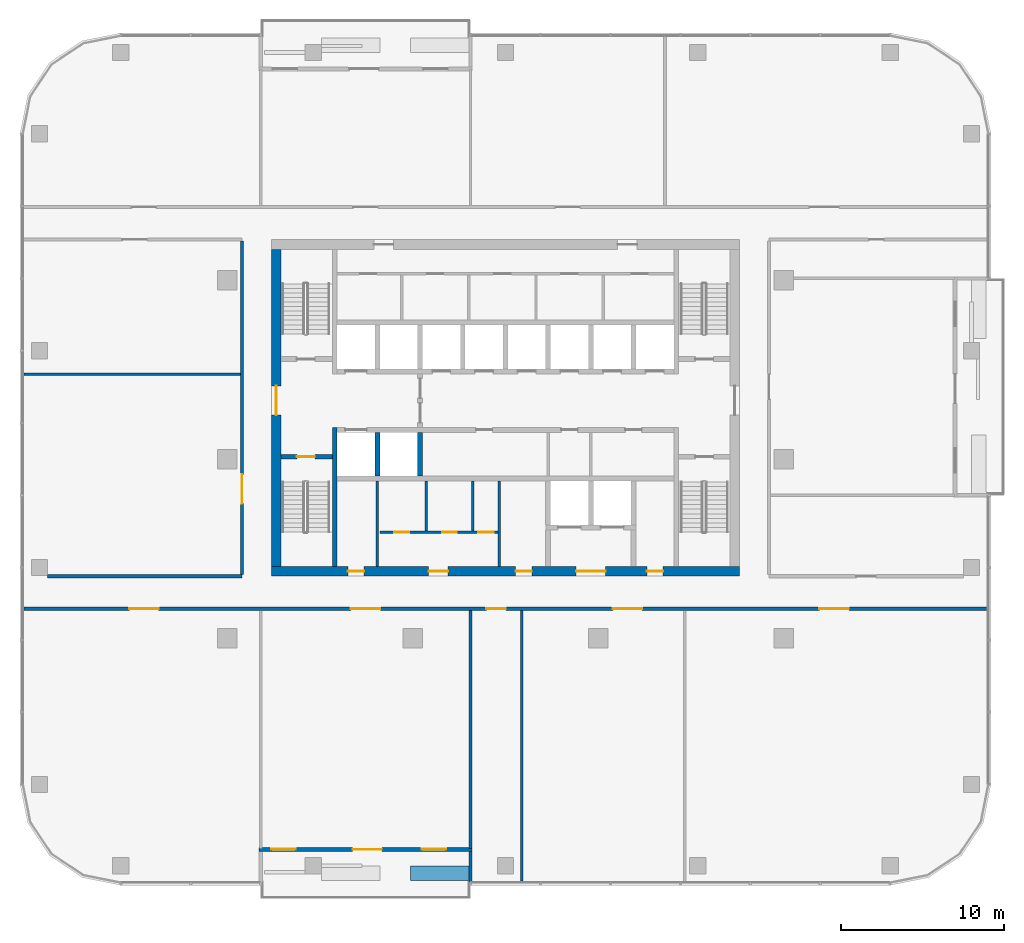
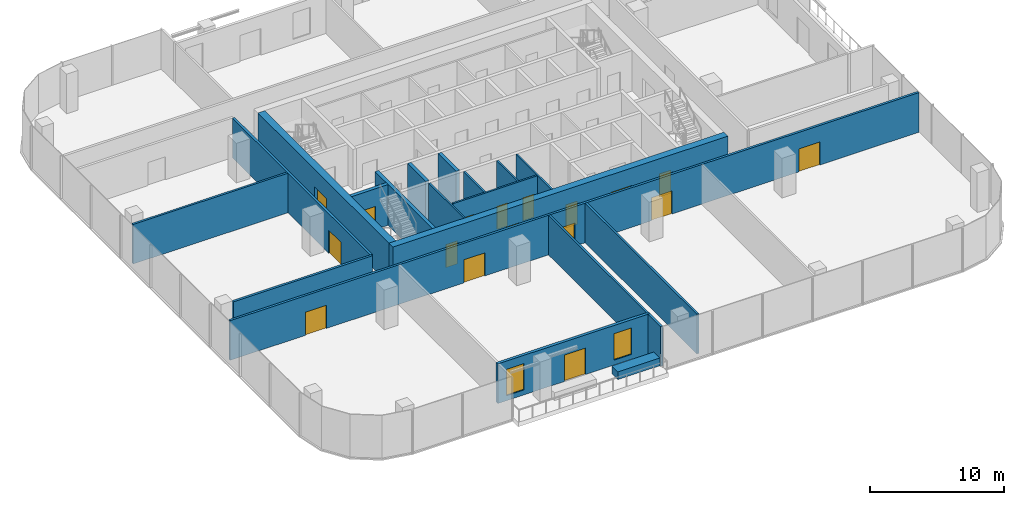
# One storey, part 7 of 13: 20 walls, 17 doors, 2 windows, 19 openings.
"""IFC4 building model written with IfcOpenShell, lengths in metres."""

from ifc_helpers import new_model, si_unit, direction, frame, frame_2d, origin, place, context, subcontext, project, spatial, rectangle, extrude, material, layer, layer_set, type_object, element, fill, save


model = new_model("IFC4")

# Units and contexts
model_context = context("Model", 3, precision=1e-05, world=origin(), true_north=direction((0.0, 1.0)))
body_context = subcontext(model_context, "Body", "Model", "MODEL_VIEW")
ifc_project = project(units=[si_unit("LENGTHUNIT", "METRE"), si_unit("AREAUNIT", "SQUARE_METRE"), si_unit("VOLUMEUNIT", "CUBIC_METRE"), si_unit("PLANEANGLEUNIT", "RADIAN"), si_unit("MASSUNIT", "GRAM", prefix="KILO")], contexts=[model_context])

# Site, building, storey
site_placement = place(None, origin())
site = spatial("IfcSite", under=ifc_project, at=site_placement, CompositionType="ELEMENT")
building_placement = place(site_placement, origin())
building = spatial("IfcBuilding", under=site, at=building_placement, Name="Mopane Tessera Tower", CompositionType="ELEMENT")
storey_placement = place(building_placement, frame((0.0, 0.0, 299.39990234375)))
storey = spatial("IfcBuildingStorey", under=building, at=storey_placement, Name="L65", CompositionType="ELEMENT", Elevation=299.39990234375)

# Wall
ifc_material_1 = material(Name="Fire-rated gypsum board partition")
ifc_layer_1 = layer(ifc_material_1, 0.14990234375)
ifc_layer_set_1 = layer_set([ifc_layer_1], Name="Fire-rated gypsum board partition")
wall_type_1 = type_object("IfcWallType", Name="Core room partition 150 mm", PredefinedType="PARTITIONING", material=ifc_layer_set_1)
wall_1_placement = place(storey_placement, frame((-7.875, -6.60009765625, 0.0), z_axis=(0.0, 0.0, 1.0), x_axis=(0.0, 1.0, 0.0)))
element("IfcWall", 1, at=wall_1_placement, inside=storey, type_object=wall_type_1, Name="L65 Room partition", PredefinedType="PARTITIONING", context=body_context, shape_type="SweptSolid", body=[
    extrude(rectangle(XDim=5.25, YDim=0.14990234375, at=frame_2d((2.625, 0.0))), origin(), (0.0, 0.0, 1.0), 3.7001953125),
])

# Wall, openings, doors
wall_2_placement = place(storey_placement, frame((-7.72509765625, -4.5, 0.0), z_axis=(0.0, 0.0, 1.0), x_axis=(1.0, 0.0, 0.0)))
wall_2 = element("IfcWall", 2, at=wall_2_placement, inside=storey, type_object=wall_type_1, Name="L65 WC partition", PredefinedType="PARTITIONING", context=body_context, shape_type="SweptSolid", body=[
    extrude(rectangle(XDim=7.275146484375, YDim=0.14990234375, at=frame_2d((3.6376953125, 0.0))), origin(), (0.0, 0.0, 1.0), 3.7001953125),
])
opening_1_placement = place(wall_2_placement, frame((0.89990234375, 0.0, 0.0)))
opening_1 = element("IfcOpeningElement", 3, at=opening_1_placement, cuts=wall_2, Name="Opening WD1", PredefinedType="OPENING", context=body_context, shape_type="SweptSolid", body=[
    extrude(rectangle(XDim=0.89990234375, YDim=2.10009765625, at=frame_2d((0.449951171875, 1.050048828125))), frame((0.0, 0.0869140625, 0.0), z_axis=(0.0, -1.0, 0.0), x_axis=(1.0, 0.0, 0.0)), (0.0, 0.0, 1.0), 0.173828125),
])
opening_2_placement = place(wall_2_placement, frame((3.824951171875, 0.0, 0.0)))
opening_2 = element("IfcOpeningElement", 4, at=opening_2_placement, cuts=wall_2, Name="Opening WD1", PredefinedType="OPENING", context=body_context, shape_type="SweptSolid", body=[
    extrude(rectangle(XDim=0.89990234375, YDim=2.10009765625, at=frame_2d((0.449951171875, 1.050048828125))), frame((0.0, 0.0869140625, 0.0), z_axis=(0.0, -1.0, 0.0), x_axis=(1.0, 0.0, 0.0)), (0.0, 0.0, 1.0), 0.173828125),
])
opening_3_placement = place(wall_2_placement, frame((6.050048828125, 0.0, 0.0)))
opening_3 = element("IfcOpeningElement", 5, at=opening_3_placement, cuts=wall_2, Name="Opening WD2", PredefinedType="OPENING", context=body_context, shape_type="SweptSolid", body=[
    extrude(rectangle(XDim=0.949951171875, YDim=2.10009765625, at=frame_2d((0.47509765625, 1.050048828125))), frame((0.0, 0.0869140625, 0.0), z_axis=(0.0, -1.0, 0.0), x_axis=(1.0, 0.0, 0.0)), (0.0, 0.0, 1.0), 0.173828125),
])
ifc_material_2 = material(Name="Timber door", Category="wood")
door_type_1 = type_object("IfcDoorType", Name="Accessible WC door 950 x 2100", OperationType="SINGLE_SWING_LEFT", PredefinedType="DOOR", material=ifc_material_2)
door_1_placement = place(opening_3_placement, origin())
door_1 = element("IfcDoor", 6, at=door_1_placement, inside=storey, type_object=door_type_1, Name="L65 Accessible WC door", OperationType="SINGLE_SWING_LEFT", OverallHeight=2.10009765625, OverallWidth=0.949951171875, PredefinedType="DOOR", context=body_context, shape_type="SweptSolid", body=[
    extrude(rectangle(XDim=0.949951171875, YDim=2.10009765625, at=frame_2d((0.47509765625, 1.050048828125))), frame((0.0, 0.02490234375, 0.0), z_axis=(0.0, -1.0, 0.0), x_axis=(1.0, 0.0, 0.0)), (0.0, 0.0, 1.0), 0.050048828125),
])
fill(opening_3, door_1)
ifc_material_3 = material(Name="Timber door", Category="wood")
door_type_2 = type_object("IfcDoorType", Name="WC cubicle door 900 x 2100", OperationType="SINGLE_SWING_LEFT", PredefinedType="DOOR", material=ifc_material_3)
door_2_placement = place(opening_1_placement, origin())
door_2 = element("IfcDoor", 7, at=door_2_placement, inside=storey, type_object=door_type_2, Name="L65 Men's WC door", OperationType="SINGLE_SWING_LEFT", OverallHeight=2.10009765625, OverallWidth=0.89990234375, PredefinedType="DOOR", context=body_context, shape_type="SweptSolid", body=[
    extrude(rectangle(XDim=0.89990234375, YDim=2.10009765625, at=frame_2d((0.449951171875, 1.050048828125))), frame((0.0, 0.02490234375, 0.0), z_axis=(0.0, -1.0, 0.0), x_axis=(1.0, 0.0, 0.0)), (0.0, 0.0, 1.0), 0.050048828125),
])
fill(opening_1, door_2)
door_3_placement = place(opening_2_placement, origin())
door_3 = element("IfcDoor", 8, at=door_3_placement, inside=storey, type_object=door_type_2, Name="L65 Women's WC door", OperationType="SINGLE_SWING_LEFT", OverallHeight=2.10009765625, OverallWidth=0.89990234375, PredefinedType="DOOR", context=body_context, shape_type="SweptSolid", body=[
    extrude(rectangle(XDim=0.89990234375, YDim=2.10009765625, at=frame_2d((0.449951171875, 1.050048828125))), frame((0.0, 0.02490234375, 0.0), z_axis=(0.0, -1.0, 0.0), x_axis=(1.0, 0.0, 0.0)), (0.0, 0.0, 1.0), 0.050048828125),
])
fill(opening_2, door_3)

# Walls
for number, where, z_axis, x_axis, name in (
    (9, (-4.875, -4.425048828125, 0.0), (0.0, 0.0, 1.0), (0.0, 1.0, 0.0), "L65 WC partition"),
    (10, (-2.02490234375, -4.425048828125, 0.0), (0.0, 0.0, 1.0), (0.0, 1.0, 0.0), "L65 WC partition"),
):
    element("IfcWall", number, at=place(storey_placement, frame(where, z_axis=z_axis, x_axis=x_axis)), inside=storey, type_object=wall_type_1, Name=name, PredefinedType="PARTITIONING", context=body_context, shape_type="SweptSolid", body=[
        extrude(rectangle(XDim=3.074951171875, YDim=0.14990234375, at=frame_2d((1.53759765625, 0.0))), origin(), (0.0, 0.0, 1.0), 3.7001953125),
    ])
wall_3_placement = place(storey_placement, frame((-0.375, -6.60009765625, 0.0), z_axis=(0.0, 0.0, 1.0), x_axis=(0.0, 1.0, 0.0)))
element("IfcWall", 11, at=wall_3_placement, inside=storey, type_object=wall_type_1, Name="L65 Room partition", PredefinedType="PARTITIONING", context=body_context, shape_type="SweptSolid", body=[
    extrude(rectangle(XDim=5.25, YDim=0.14990234375, at=frame_2d((2.625, 0.0))), origin(), (0.0, 0.0, 1.0), 3.7001953125),
])

# Wall, openings, doors
ifc_material_4 = material(Name="Concrete C70/85", Category="concrete")
ifc_layer_2 = layer(ifc_material_4, 0.60009765625)
ifc_layer_set_2 = layer_set([ifc_layer_2], Name="Concrete C70/85")
wall_type_2 = type_object("IfcWallType", Name="Core shear wall 600 mm", PredefinedType="SHEAR", material=ifc_layer_set_2)
wall_4_placement = place(storey_placement, frame((-14.39990234375, -6.89990234375, 0.0), z_axis=(0.0, 0.0, 1.0), x_axis=(1.0, 0.0, 0.0)))
wall_4 = element("IfcWall", 12, at=wall_4_placement, inside=storey, type_object=wall_type_2, Name="L65 Core wall south", PredefinedType="SHEAR", context=body_context, shape_type="SweptSolid", body=[
    extrude(rectangle(XDim=28.7998046875, YDim=0.60009765625, at=frame_2d((14.39990234375, 0.0))), origin(), (0.0, 0.0, 1.0), 3.7001953125),
])
opening_4_placement = place(wall_4_placement, frame((4.71240234375, 0.0, 0.0)))
opening_4 = element("IfcOpeningElement", 13, at=opening_4_placement, cuts=wall_4, Name="Opening RD1", PredefinedType="OPENING", context=body_context, shape_type="SweptSolid", body=[
    extrude(rectangle(XDim=1.0, YDim=2.10009765625, at=frame_2d((0.5, 1.050048828125))), frame((0.0, 0.31201171875, 0.0), z_axis=(0.0, -1.0, 0.0), x_axis=(1.0, 0.0, 0.0)), (0.0, 0.0, 1.0), 0.6240234375),
])
opening_5_placement = place(wall_4_placement, frame((9.675048828125, 0.0, 0.0)))
opening_5 = element("IfcOpeningElement", 14, at=opening_5_placement, cuts=wall_4, Name="Opening WD3", PredefinedType="OPENING", context=body_context, shape_type="SweptSolid", body=[
    extrude(rectangle(XDim=1.199951171875, YDim=2.10009765625, at=frame_2d((0.60009765625, 1.050048828125))), frame((0.0, 0.31201171875, 0.0), z_axis=(0.0, -1.0, 0.0), x_axis=(1.0, 0.0, 0.0)), (0.0, 0.0, 1.0), 0.6240234375),
])
opening_6_placement = place(wall_4_placement, frame((15.02490234375, 0.0, 0.0)))
opening_6 = element("IfcOpeningElement", 15, at=opening_6_placement, cuts=wall_4, Name="Opening RD1", PredefinedType="OPENING", context=body_context, shape_type="SweptSolid", body=[
    extrude(rectangle(XDim=1.0, YDim=2.10009765625, at=frame_2d((0.5, 1.050048828125))), frame((0.0, 0.31201171875, 0.0), z_axis=(0.0, -1.0, 0.0), x_axis=(1.0, 0.0, 0.0)), (0.0, 0.0, 1.0), 0.6240234375),
])
opening_7_placement = place(wall_4_placement, frame((18.75, 0.0, 0.0)))
opening_7 = element("IfcOpeningElement", 16, at=opening_7_placement, cuts=wall_4, Name="Opening SD2", PredefinedType="OPENING", context=body_context, shape_type="SweptSolid", body=[
    extrude(rectangle(XDim=1.800048828125, YDim=2.10009765625, at=frame_2d((0.89990234375, 1.050048828125))), frame((0.0, 0.31201171875, 0.0), z_axis=(0.0, -1.0, 0.0), x_axis=(1.0, 0.0, 0.0)), (0.0, 0.0, 1.0), 0.6240234375),
])
opening_8_placement = place(wall_4_placement, frame((23.08740234375, 0.0, 0.0)))
opening_8 = element("IfcOpeningElement", 17, at=opening_8_placement, cuts=wall_4, Name="Opening RD1", PredefinedType="OPENING", context=body_context, shape_type="SweptSolid", body=[
    extrude(rectangle(XDim=1.0, YDim=2.10009765625, at=frame_2d((0.5, 1.050048828125))), frame((0.0, 0.31201171875, 0.0), z_axis=(0.0, -1.0, 0.0), x_axis=(1.0, 0.0, 0.0)), (0.0, 0.0, 1.0), 0.6240234375),
])
ifc_material_5 = material(Name="Steel fire door", Category="steel")
door_type_3 = type_object("IfcDoorType", Name="Core entrance double door 1800 x 2100", OperationType="DOUBLE_DOOR_SINGLE_SWING", PredefinedType="DOOR", material=ifc_material_5)
door_4_placement = place(opening_7_placement, origin())
door_4 = element("IfcDoor", 18, at=door_4_placement, inside=storey, type_object=door_type_3, Name="L65 Service lobby door", OperationType="DOUBLE_DOOR_SINGLE_SWING", OverallHeight=2.10009765625, OverallWidth=1.800048828125, PredefinedType="DOOR", context=body_context, shape_type="SweptSolid", body=[
    extrude(rectangle(XDim=1.800048828125, YDim=2.10009765625, at=frame_2d((0.89990234375, 1.050048828125))), frame((0.0, 0.02490234375, 0.0), z_axis=(0.0, -1.0, 0.0), x_axis=(1.0, 0.0, 0.0)), (0.0, 0.0, 1.0), 0.050048828125),
])
fill(opening_7, door_4)
ifc_material_6 = material(Name="Timber door", Category="wood")
door_type_4 = type_object("IfcDoorType", Name="Core room door 1000 x 2100", OperationType="SINGLE_SWING_LEFT", PredefinedType="DOOR", material=ifc_material_6)
door_5_placement = place(opening_4_placement, origin())
door_5 = element("IfcDoor", 19, at=door_5_placement, inside=storey, type_object=door_type_4, Name="L65 Room door", OperationType="SINGLE_SWING_LEFT", OverallHeight=2.10009765625, OverallWidth=1.0, PredefinedType="DOOR", context=body_context, shape_type="SweptSolid", body=[
    extrude(rectangle(XDim=1.0, YDim=2.10009765625, at=frame_2d((0.5, 1.050048828125))), frame((0.0, 0.02490234375, 0.0), z_axis=(0.0, -1.0, 0.0), x_axis=(1.0, 0.0, 0.0)), (0.0, 0.0, 1.0), 0.050048828125),
])
fill(opening_4, door_5)
door_6_placement = place(opening_6_placement, origin())
door_6 = element("IfcDoor", 20, at=door_6_placement, inside=storey, type_object=door_type_4, Name="L65 Room door", OperationType="SINGLE_SWING_LEFT", OverallHeight=2.10009765625, OverallWidth=1.0, PredefinedType="DOOR", context=body_context, shape_type="SweptSolid", body=[
    extrude(rectangle(XDim=1.0, YDim=2.10009765625, at=frame_2d((0.5, 1.050048828125))), frame((0.0, 0.02490234375, 0.0), z_axis=(0.0, -1.0, 0.0), x_axis=(1.0, 0.0, 0.0)), (0.0, 0.0, 1.0), 0.050048828125),
])
fill(opening_6, door_6)
door_7_placement = place(opening_8_placement, origin())
door_7 = element("IfcDoor", 21, at=door_7_placement, inside=storey, type_object=door_type_4, Name="L65 Room door", OperationType="SINGLE_SWING_LEFT", OverallHeight=2.10009765625, OverallWidth=1.0, PredefinedType="DOOR", context=body_context, shape_type="SweptSolid", body=[
    extrude(rectangle(XDim=1.0, YDim=2.10009765625, at=frame_2d((0.5, 1.050048828125))), frame((0.0, 0.02490234375, 0.0), z_axis=(0.0, -1.0, 0.0), x_axis=(1.0, 0.0, 0.0)), (0.0, 0.0, 1.0), 0.050048828125),
])
fill(opening_8, door_7)
ifc_material_7 = material(Name="Timber door", Category="wood")
door_type_5 = type_object("IfcDoorType", Name="WC lobby door 1200 x 2100", OperationType="SINGLE_SWING_LEFT", PredefinedType="DOOR", material=ifc_material_7)
door_8_placement = place(opening_5_placement, origin())
door_8 = element("IfcDoor", 22, at=door_8_placement, inside=storey, type_object=door_type_5, Name="L65 WC lobby door", OperationType="SINGLE_SWING_LEFT", OverallHeight=2.10009765625, OverallWidth=1.199951171875, PredefinedType="DOOR", context=body_context, shape_type="SweptSolid", body=[
    extrude(rectangle(XDim=1.199951171875, YDim=2.10009765625, at=frame_2d((0.60009765625, 1.050048828125))), frame((0.0, 0.02490234375, 0.0), z_axis=(0.0, -1.0, 0.0), x_axis=(1.0, 0.0, 0.0)), (0.0, 0.0, 1.0), 0.050048828125),
])
fill(opening_5, door_8)

# Wall, opening, door
wall_5_placement = place(storey_placement, frame((-14.10009765625, -6.60009765625, 0.0), z_axis=(0.0, 0.0, 1.0), x_axis=(0.0, 1.0, 0.0)))
wall_5 = element("IfcWall", 23, at=wall_5_placement, inside=storey, type_object=wall_type_2, Name="L65 Core wall west", PredefinedType="SHEAR", context=body_context, shape_type="SweptSolid", body=[
    extrude(rectangle(XDim=19.5, YDim=0.60009765625, at=frame_2d((9.75, 0.0))), origin(), (0.0, 0.0, 1.0), 3.7001953125),
])
opening_9_placement = place(wall_5_placement, frame((9.300048828125, 0.0, 0.0)))
opening_9 = element("IfcOpeningElement", 24, at=opening_9_placement, cuts=wall_5, Name="Opening SD2", PredefinedType="OPENING", context=body_context, shape_type="SweptSolid", body=[
    extrude(rectangle(XDim=1.800048828125, YDim=2.10009765625, at=frame_2d((0.89990234375, 1.050048828125))), frame((0.0, 0.31201171875, 0.0), z_axis=(0.0, -1.0, 0.0), x_axis=(1.0, 0.0, 0.0)), (0.0, 0.0, 1.0), 0.6240234375),
])
door_9_placement = place(opening_9_placement, origin())
door_9 = element("IfcDoor", 25, at=door_9_placement, inside=storey, type_object=door_type_3, Name="L65 Core entrance door west", OperationType="DOUBLE_DOOR_SINGLE_SWING", OverallHeight=2.10009765625, OverallWidth=1.800048828125, PredefinedType="DOOR", context=body_context, shape_type="SweptSolid", body=[
    extrude(rectangle(XDim=1.800048828125, YDim=2.10009765625, at=frame_2d((0.89990234375, 1.050048828125))), frame((0.0, 0.02490234375, 0.0), z_axis=(0.0, -1.0, 0.0), x_axis=(1.0, 0.0, 0.0)), (0.0, 0.0, 1.0), 0.050048828125),
])
fill(opening_9, door_9)

# Walls
ifc_material_8 = material(Name="Concrete C60/75", Category="concrete")
ifc_layer_3 = layer(ifc_material_8, 0.300048828125)
ifc_layer_set_3 = layer_set([ifc_layer_3], Name="Concrete C60/75")
wall_type_3 = type_object("IfcWallType", Name="Core spine wall 300 mm", PredefinedType="SHEAR", material=ifc_layer_set_3)
wall_6_placement = place(storey_placement, frame((-10.5, -6.60009765625, 0.0), z_axis=(0.0, 0.0, 1.0), x_axis=(0.0, 1.0, 0.0)))
element("IfcWall", 26, at=wall_6_placement, inside=storey, type_object=wall_type_3, Name="L65 Core spine wall", PredefinedType="SHEAR", context=body_context, shape_type="SweptSolid", body=[
    extrude(rectangle(XDim=8.550048828125, YDim=0.300048828125, at=frame_2d((4.27490234375, 0.0))), origin(), (0.0, 0.0, 1.0), 3.7001953125),
])
ifc_material_9 = material(Name="Gypsum board on staggered steel studs, double layer each face, acoustic mineral wool infill", Category="steel")
ifc_layer_4 = layer(ifc_material_9, 0.175048828125)
ifc_layer_set_4 = layer_set([ifc_layer_4], Name="Gypsum board on staggered steel studs, double layer each face, acoustic mineral wool infill")
wall_type_4 = type_object("IfcWallType", Name="Gypsum board acoustic partition 175, rated EI 60", PredefinedType="PARTITIONING", material=ifc_layer_set_4)
wall_7_placement = place(storey_placement, frame((-29.60009765625, 5.219970703125, 0.0), z_axis=(0.0, 0.0, 1.0), x_axis=(1.0, 0.0, 0.0)))
element("IfcWall", 27, at=wall_7_placement, inside=storey, type_object=wall_type_4, Name="Partition L65:004", PredefinedType="PARTITIONING", context=body_context, shape_type="SweptSolid", body=[
    extrude(rectangle(XDim=13.300048828125, YDim=0.175048828125, at=frame_2d((6.64990234375, 0.0))), origin(), (0.0, 0.0, 1.0), 3.60009765625),
])
wall_8_placement = place(storey_placement, frame((-2.14990234375, -23.949951171875, 0.0), z_axis=(0.0, 0.0, 1.0), x_axis=(0.0, 1.0, 0.0)))
element("IfcWall", 28, at=wall_8_placement, inside=storey, type_object=wall_type_4, Name="Partition L65:013", PredefinedType="PARTITIONING", context=body_context, shape_type="SweptSolid", body=[
    extrude(rectangle(XDim=14.64990234375, YDim=0.175048828125, at=frame_2d((7.324951171875, 0.0))), origin(), (0.0, 0.0, 1.0), 3.60009765625),
])
wall_9_placement = place(storey_placement, frame((1.0, -25.949951171875, 0.0), z_axis=(0.0, 0.0, 1.0), x_axis=(0.0, 1.0, 0.0)))
element("IfcWall", 29, at=wall_9_placement, inside=storey, type_object=wall_type_4, Name="Partition L65:014", PredefinedType="PARTITIONING", context=body_context, shape_type="SweptSolid", body=[
    extrude(rectangle(XDim=16.64990234375, YDim=0.175048828125, at=frame_2d((8.324951171875, 0.0))), origin(), (0.0, 0.0, 1.0), 3.60009765625),
])

# Wall, openings, doors
ifc_material_10 = material(Name="Gypsum board on steel studs, two layers each face, mineral wool infill", Category="steel")
ifc_layer_5 = layer(ifc_material_10, 0.199951171875)
ifc_layer_set_5 = layer_set([ifc_layer_5], Name="Gypsum board on steel studs, two layers each face, mineral wool infill")
wall_type_5 = type_object("IfcWallType", Name="Gypsum board corridor wall 200, rated EI 60", PredefinedType="PARTITIONING", material=ifc_layer_set_5)
wall_10_placement = place(storey_placement, frame((-29.60009765625, -9.199951171875, 0.0), z_axis=(0.0, 0.0, 1.0), x_axis=(1.0, 0.0, 0.0)))
wall_10 = element("IfcWall", 30, at=wall_10_placement, inside=storey, type_object=wall_type_5, Name="Partition L65:000", PredefinedType="PARTITIONING", context=body_context, shape_type="SweptSolid", body=[
    extrude(rectangle(XDim=59.2001953125, YDim=0.199951171875, at=frame_2d((29.60009765625, 0.0))), origin(), (0.0, 0.0, 1.0), 3.60009765625),
])
opening_10_placement = place(wall_10_placement, frame((48.905029296875, 0.0, 0.0)))
opening_10 = element("IfcOpeningElement", 31, at=opening_10_placement, cuts=wall_10, Name="Opening L65-04", PredefinedType="OPENING", context=body_context, shape_type="SweptSolid", body=[
    extrude(rectangle(XDim=1.800048828125, YDim=2.10009765625, at=frame_2d((0.89990234375, 1.050048828125))), frame((0.0, 0.112060546875, 0.0), z_axis=(0.0, -1.0, 0.0), x_axis=(1.0, 0.0, 0.0)), (0.0, 0.0, 1.0), 0.223876953125),
])
opening_11_placement = place(wall_10_placement, frame((36.205078125, 0.0, 0.0)))
opening_11 = element("IfcOpeningElement", 32, at=opening_11_placement, cuts=wall_10, Name="Opening L65-07", PredefinedType="OPENING", context=body_context, shape_type="SweptSolid", body=[
    extrude(rectangle(XDim=1.800048828125, YDim=2.10009765625, at=frame_2d((0.89990234375, 1.050048828125))), frame((0.0, 0.112060546875, 0.0), z_axis=(0.0, -1.0, 0.0), x_axis=(1.0, 0.0, 0.0)), (0.0, 0.0, 1.0), 0.223876953125),
])
opening_12_placement = place(wall_10_placement, frame((20.10009765625, 0.0, 0.0)))
opening_12 = element("IfcOpeningElement", 33, at=opening_12_placement, cuts=wall_10, Name="Opening L65-09", PredefinedType="OPENING", context=body_context, shape_type="SweptSolid", body=[
    extrude(rectangle(XDim=1.800048828125, YDim=2.10009765625, at=frame_2d((0.89990234375, 1.050048828125))), frame((0.0, 0.112060546875, 0.0), z_axis=(0.0, -1.0, 0.0), x_axis=(1.0, 0.0, 0.0)), (0.0, 0.0, 1.0), 0.223876953125),
])
opening_13_placement = place(wall_10_placement, frame((6.47509765625, 0.0, 0.0)))
opening_13 = element("IfcOpeningElement", 34, at=opening_13_placement, cuts=wall_10, Name="Opening L65-13", PredefinedType="OPENING", context=body_context, shape_type="SweptSolid", body=[
    extrude(rectangle(XDim=1.800048828125, YDim=2.10009765625, at=frame_2d((0.89990234375, 1.050048828125))), frame((0.0, 0.112060546875, 0.0), z_axis=(0.0, -1.0, 0.0), x_axis=(1.0, 0.0, 0.0)), (0.0, 0.0, 1.0), 0.223876953125),
])
opening_14_placement = place(wall_10_placement, frame((28.425048828125, 0.0, 0.0)))
opening_14 = element("IfcOpeningElement", 35, at=opening_14_placement, cuts=wall_10, Name="Opening L65-14", PredefinedType="OPENING", context=body_context, shape_type="SweptSolid", body=[
    extrude(rectangle(XDim=1.199951171875, YDim=2.10009765625, at=frame_2d((0.60009765625, 1.050048828125))), frame((0.0, 0.112060546875, 0.0), z_axis=(0.0, -1.0, 0.0), x_axis=(1.0, 0.0, 0.0)), (0.0, 0.0, 1.0), 0.223876953125),
])
ifc_material_11 = material(Name="Timber veneered steel-framed fire door", Category="steel")
door_type_6 = type_object("IfcDoorType", Name="Fire door FD60 1200 x 2100", OperationType="SINGLE_SWING_LEFT", PredefinedType="DOOR", material=ifc_material_11)
door_10_placement = place(opening_14_placement, origin())
door_10 = element("IfcDoor", 36, at=door_10_placement, inside=storey, type_object=door_type_6, Name="Door L65-14", ObjectType="D15A", OperationType="SINGLE_SWING_RIGHT", OverallHeight=2.10009765625, OverallWidth=1.199951171875, PredefinedType="DOOR", context=body_context, shape_type="SweptSolid", body=[
    extrude(rectangle(XDim=1.199951171875, YDim=2.10009765625, at=frame_2d((0.60009765625, 1.050048828125))), frame((0.0, 0.02490234375, 0.0), z_axis=(0.0, -1.0, 0.0), x_axis=(1.0, 0.0, 0.0)), (0.0, 0.0, 1.0), 0.050048828125),
])
fill(opening_14, door_10)
ifc_material_12 = material(Name="Timber veneered steel-framed fire door", Category="steel")
door_type_7 = type_object("IfcDoorType", Name="Fire door pair FD60 1800 x 2100", OperationType="DOUBLE_DOOR_SINGLE_SWING", PredefinedType="DOOR", material=ifc_material_12)
door_11_placement = place(opening_10_placement, origin())
door_11 = element("IfcDoor", 37, at=door_11_placement, inside=storey, type_object=door_type_7, Name="Door L65-04", ObjectType="D20A", OperationType="DOUBLE_DOOR_SINGLE_SWING", OverallHeight=2.10009765625, OverallWidth=1.800048828125, PredefinedType="DOOR", context=body_context, shape_type="SweptSolid", body=[
    extrude(rectangle(XDim=1.800048828125, YDim=2.10009765625, at=frame_2d((0.89990234375, 1.050048828125))), frame((0.0, 0.02490234375, 0.0), z_axis=(0.0, -1.0, 0.0), x_axis=(1.0, 0.0, 0.0)), (0.0, 0.0, 1.0), 0.050048828125),
])
fill(opening_10, door_11)
door_12_placement = place(opening_11_placement, origin())
door_12 = element("IfcDoor", 38, at=door_12_placement, inside=storey, type_object=door_type_7, Name="Door L65-07", ObjectType="D20A", OperationType="DOUBLE_DOOR_SINGLE_SWING", OverallHeight=2.10009765625, OverallWidth=1.800048828125, PredefinedType="DOOR", context=body_context, shape_type="SweptSolid", body=[
    extrude(rectangle(XDim=1.800048828125, YDim=2.10009765625, at=frame_2d((0.89990234375, 1.050048828125))), frame((0.0, 0.02490234375, 0.0), z_axis=(0.0, -1.0, 0.0), x_axis=(1.0, 0.0, 0.0)), (0.0, 0.0, 1.0), 0.050048828125),
])
fill(opening_11, door_12)
door_13_placement = place(opening_12_placement, origin())
door_13 = element("IfcDoor", 39, at=door_13_placement, inside=storey, type_object=door_type_7, Name="Door L65-09", ObjectType="D20A", OperationType="DOUBLE_DOOR_SINGLE_SWING", OverallHeight=2.10009765625, OverallWidth=1.800048828125, PredefinedType="DOOR", context=body_context, shape_type="SweptSolid", body=[
    extrude(rectangle(XDim=1.800048828125, YDim=2.10009765625, at=frame_2d((0.89990234375, 1.050048828125))), frame((0.0, 0.02490234375, 0.0), z_axis=(0.0, -1.0, 0.0), x_axis=(1.0, 0.0, 0.0)), (0.0, 0.0, 1.0), 0.050048828125),
])
fill(opening_12, door_13)
door_14_placement = place(opening_13_placement, origin())
door_14 = element("IfcDoor", 40, at=door_14_placement, inside=storey, type_object=door_type_7, Name="Door L65-13", ObjectType="D20A", OperationType="DOUBLE_DOOR_SINGLE_SWING", OverallHeight=2.10009765625, OverallWidth=1.800048828125, PredefinedType="DOOR", context=body_context, shape_type="SweptSolid", body=[
    extrude(rectangle(XDim=1.800048828125, YDim=2.10009765625, at=frame_2d((0.89990234375, 1.050048828125))), frame((0.0, 0.02490234375, 0.0), z_axis=(0.0, -1.0, 0.0), x_axis=(1.0, 0.0, 0.0)), (0.0, 0.0, 1.0), 0.050048828125),
])
fill(opening_13, door_14)

# Wall
wall_11_placement = place(storey_placement, frame((-28.14990234375, -7.199951171875, 0.0), z_axis=(0.0, 0.0, 1.0), x_axis=(1.0, 0.0, 0.0)))
element("IfcWall", 41, at=wall_11_placement, inside=storey, type_object=wall_type_5, Name="Partition L65:001", PredefinedType="PARTITIONING", context=body_context, shape_type="SweptSolid", body=[
    extrude(rectangle(XDim=11.949951171875, YDim=0.199951171875, at=frame_2d((5.97509765625, 0.0))), origin(), (0.0, 0.0, 1.0), 3.60009765625),
])

# Wall, opening, door
wall_12_placement = place(storey_placement, frame((-16.199951171875, -7.10009765625, 0.0), z_axis=(0.0, 0.0, 1.0), x_axis=(0.0, 1.0, 0.0)))
wall_12 = element("IfcWall", 42, at=wall_12_placement, inside=storey, type_object=wall_type_5, Name="Partition L65:009", PredefinedType="PARTITIONING", context=body_context, shape_type="SweptSolid", body=[
    extrude(rectangle(XDim=20.5, YDim=0.199951171875, at=frame_2d((10.25, 0.0))), origin(), (0.0, 0.0, 1.0), 3.60009765625),
])
opening_15_placement = place(wall_12_placement, frame((4.360107421875, 0.0, 0.0)))
opening_15 = element("IfcOpeningElement", 43, at=opening_15_placement, cuts=wall_12, Name="Opening L65-12", PredefinedType="OPENING", context=body_context, shape_type="SweptSolid", body=[
    extrude(rectangle(XDim=1.800048828125, YDim=2.10009765625, at=frame_2d((0.89990234375, 1.050048828125))), frame((0.0, 0.112060546875, 0.0), z_axis=(0.0, -1.0, 0.0), x_axis=(1.0, 0.0, 0.0)), (0.0, 0.0, 1.0), 0.223876953125),
])
door_15_placement = place(opening_15_placement, origin())
door_15 = element("IfcDoor", 44, at=door_15_placement, inside=storey, type_object=door_type_7, Name="Door L65-12", ObjectType="D20A", OperationType="DOUBLE_DOOR_SINGLE_SWING", OverallHeight=2.10009765625, OverallWidth=1.800048828125, PredefinedType="DOOR", context=body_context, shape_type="SweptSolid", body=[
    extrude(rectangle(XDim=1.800048828125, YDim=2.10009765625, at=frame_2d((0.89990234375, 1.050048828125))), frame((0.0, 0.02490234375, 0.0), z_axis=(0.0, -1.0, 0.0), x_axis=(1.0, 0.0, 0.0)), (0.0, 0.0, 1.0), 0.050048828125),
])
fill(opening_15, door_15)

ifc_material_13 = material(Name="Concrete C50/60", Category="concrete")
ifc_layer_6 = layer(ifc_material_13, 0.300048828125)
ifc_layer_set_6 = layer_set([ifc_layer_6], Name="Concrete C50/60")
wall_type_6 = type_object("IfcWallType", Name="Lift and stair shaft wall 300 mm", PredefinedType="SOLIDWALL", material=ifc_layer_set_6)
wall_13_placement = place(storey_placement, frame((-13.800048828125, 0.14990234375, 0.0), z_axis=(0.0, 0.0, 1.0), x_axis=(1.0, 0.0, 0.0)))
wall_13 = element("IfcWall", 45, at=wall_13_placement, inside=storey, type_object=wall_type_6, Name="L65 Stair enclosure wall", PredefinedType="SOLIDWALL", context=body_context, shape_type="SweptSolid", body=[
    extrude(rectangle(XDim=3.150146484375, YDim=0.300048828125, at=frame_2d((1.5751953125, 0.0))), origin(), (0.0, 0.0, 1.0), 3.7001953125),
])
opening_16_placement = place(wall_13_placement, frame((0.97509765625, 0.0, 0.0)))
opening_16 = element("IfcOpeningElement", 46, at=opening_16_placement, cuts=wall_13, Name="Opening SD1", PredefinedType="OPENING", context=body_context, shape_type="SweptSolid", body=[
    extrude(rectangle(XDim=1.10009765625, YDim=2.10009765625, at=frame_2d((0.550048828125, 1.050048828125))), frame((0.0, 0.162109375, 0.0), z_axis=(0.0, -1.0, 0.0), x_axis=(1.0, 0.0, 0.0)), (0.0, 0.0, 1.0), 0.323974609375),
])
ifc_material_14 = material(Name="Steel fire door", Category="steel")
door_type_8 = type_object("IfcDoorType", Name="Stair fire door 1100 x 2100", OperationType="SINGLE_SWING_LEFT", PredefinedType="DOOR", material=ifc_material_14)
door_16_placement = place(opening_16_placement, origin())
door_16 = element("IfcDoor", 47, at=door_16_placement, inside=storey, type_object=door_type_8, Name="L65 Stair door ST1", OperationType="SINGLE_SWING_LEFT", OverallHeight=2.10009765625, OverallWidth=1.10009765625, PredefinedType="DOOR", context=body_context, shape_type="SweptSolid", body=[
    extrude(rectangle(XDim=1.10009765625, YDim=2.10009765625, at=frame_2d((0.550048828125, 1.050048828125))), frame((0.0, 0.02490234375, 0.0), z_axis=(0.0, -1.0, 0.0), x_axis=(1.0, 0.0, 0.0)), (0.0, 0.0, 1.0), 0.050048828125),
])
fill(opening_16, door_16)

# Walls
for number, where, z_axis, x_axis, name in (
    (48, (-7.875, -1.050048828125, 0.0), (0.0, 0.0, 1.0), (0.0, 1.0, 0.0), "L65 Lift shaft wall"),
    (49, (-5.25, -1.050048828125, 0.0), (0.0, 0.0, 1.0), (0.0, 1.0, 0.0), "L65 Lift shaft wall"),
):
    element("IfcWall", number, at=place(storey_placement, frame(where, z_axis=z_axis, x_axis=x_axis)), inside=storey, type_object=wall_type_6, Name=name, PredefinedType="SOLIDWALL", context=body_context, shape_type="SweptSolid", body=[
        extrude(rectangle(XDim=2.699951171875, YDim=0.300048828125, at=frame_2d((1.35009765625, 0.0))), origin(), (0.0, 0.0, 1.0), 3.7001953125),
    ])
ifc_material_15 = material(Name="Reinforced concrete C32/40 with waterproofing", Category="concrete")
ifc_layer_7 = layer(ifc_material_15, 0.89990234375)
ifc_layer_set_7 = layer_set([ifc_layer_7], Name="Reinforced concrete C32/40 with waterproofing")
wall_type_7 = type_object("IfcWallType", Name="Planter trough 3600 x 900", PredefinedType="STANDARD", material=ifc_layer_set_7)
wall_14_placement = place(storey_placement, frame((-5.85009765625, -25.449951171875, 0.0), z_axis=(0.0, 0.0, 1.0), x_axis=(1.0, 0.0, 0.0)))
element("IfcWall", 50, at=wall_14_placement, inside=storey, type_object=wall_type_7, Name="e:nw:L65:N3:pl1", PredefinedType="STANDARD", context=body_context, shape_type="SweptSolid", body=[
    extrude(rectangle(XDim=3.60009765625, YDim=0.89990234375, at=frame_2d((1.800048828125, 0.0))), origin(), (0.0, 0.0, 1.0), 0.7001953125),
])
ifc_material_16 = material(Name="Blockwork with glazed tile facing", Category="masonry")
ifc_layer_8 = layer(ifc_material_16, 0.199951171875)
ifc_layer_set_8 = layer_set([ifc_layer_8], Name="Blockwork with glazed tile facing")
wall_type_8 = type_object("IfcWallType", Name="Terrace cheek wall 200", PredefinedType="STANDARD", material=ifc_layer_set_8)
wall_15_placement = place(storey_placement, frame((-2.14990234375, -26.0, 0.0), z_axis=(0.0, 0.0, 1.0), x_axis=(0.0, 1.0, 0.0)))
element("IfcWall", 51, at=wall_15_placement, inside=storey, type_object=wall_type_8, Name="e:nw:L65:N3:cheekb", PredefinedType="STANDARD", context=body_context, shape_type="SweptSolid", body=[
    extrude(rectangle(XDim=1.875, YDim=0.199951171875, at=frame_2d((0.9375, 0.0))), origin(), (0.0, 0.0, 1.0), 3.60009765625),
])

# Wall, openings, windows, door
ifc_material_17 = material(Name="Blockwork with ultramarine glazed tile facing", Category="masonry")
ifc_layer_9 = layer(ifc_material_17, 0.25)
ifc_layer_set_9 = layer_set([ifc_layer_9], Name="Blockwork with ultramarine glazed tile facing")
wall_type_9 = type_object("IfcWallType", Name="Tile-clad external wall 250, ultramarine", PredefinedType="STANDARD", material=ifc_layer_set_9)
wall_16_placement = place(storey_placement, frame((-15.14990234375, -24.0, 0.0), z_axis=(0.0, 0.0, 1.0), x_axis=(1.0, 0.0, 0.0)))
wall_16 = element("IfcWall", 52, at=wall_16_placement, inside=storey, type_object=wall_type_9, Name="e:nw:L65:N3:back", PredefinedType="STANDARD", context=body_context, shape_type="SweptSolid", body=[
    extrude(rectangle(XDim=13.099853515625, YDim=0.25, at=frame_2d((6.5498046875, 0.0))), origin(), (0.0, 0.0, 1.0), 3.60009765625),
])
opening_17_placement = place(wall_16_placement, frame((0.75, 0.0, 0.449951171875)))
opening_17 = element("IfcOpeningElement", 53, at=opening_17_placement, cuts=wall_16, Name="Opening NW653A", PredefinedType="OPENING", context=body_context, shape_type="SweptSolid", body=[
    extrude(rectangle(XDim=1.5, YDim=2.39990234375, at=frame_2d((0.75, 1.199951171875))), frame((0.0, 0.136962890625, 0.0), z_axis=(0.0, -1.0, 0.0), x_axis=(1.0, 0.0, 0.0)), (0.0, 0.0, 1.0), 0.27392578125),
])
opening_18_placement = place(wall_16_placement, frame((5.75, 0.0, 0.0)))
opening_18 = element("IfcOpeningElement", 54, at=opening_18_placement, cuts=wall_16, Name="Opening ND653", PredefinedType="OPENING", context=body_context, shape_type="SweptSolid", body=[
    extrude(rectangle(XDim=1.800048828125, YDim=2.39990234375, at=frame_2d((0.89990234375, 1.199951171875))), frame((0.0, 0.136962890625, 0.0), z_axis=(0.0, -1.0, 0.0), x_axis=(1.0, 0.0, 0.0)), (0.0, 0.0, 1.0), 0.27392578125),
])
opening_19_placement = place(wall_16_placement, frame((10.0, 0.0, 0.449951171875)))
opening_19 = element("IfcOpeningElement", 55, at=opening_19_placement, cuts=wall_16, Name="Opening NW653B", PredefinedType="OPENING", context=body_context, shape_type="SweptSolid", body=[
    extrude(rectangle(XDim=1.5, YDim=2.39990234375, at=frame_2d((0.75, 1.199951171875))), frame((0.0, 0.136962890625, 0.0), z_axis=(0.0, -1.0, 0.0), x_axis=(1.0, 0.0, 0.0)), (0.0, 0.0, 1.0), 0.27392578125),
])
ifc_material_18 = material(Name="Clear laminated glass", Category="glass")
window_type = type_object("IfcWindowType", Name="Fixed window 1500 x 2400", PartitioningType="SINGLE_PANEL", PredefinedType="WINDOW", material=ifc_material_18)
window_1_placement = place(opening_17_placement, origin())
window_1 = element("IfcWindow", 56, at=window_1_placement, inside=storey, type_object=window_type, Name="e:nw:L65:N3:win0", OverallHeight=2.39990234375, OverallWidth=1.5, PartitioningType="SINGLE_PANEL", PredefinedType="WINDOW", context=body_context, shape_type="SweptSolid", body=[
    extrude(rectangle(XDim=1.5, YDim=2.39990234375, at=frame_2d((0.75, 1.199951171875))), frame((0.0, 0.030029296875, 0.0), z_axis=(0.0, -1.0, 0.0), x_axis=(1.0, 0.0, 0.0)), (0.0, 0.0, 1.0), 0.06005859375),
])
fill(opening_17, window_1)
window_2_placement = place(opening_19_placement, origin())
window_2 = element("IfcWindow", 57, at=window_2_placement, inside=storey, type_object=window_type, Name="e:nw:L65:N3:win2", OverallHeight=2.39990234375, OverallWidth=1.5, PartitioningType="SINGLE_PANEL", PredefinedType="WINDOW", context=body_context, shape_type="SweptSolid", body=[
    extrude(rectangle(XDim=1.5, YDim=2.39990234375, at=frame_2d((0.75, 1.199951171875))), frame((0.0, 0.030029296875, 0.0), z_axis=(0.0, -1.0, 0.0), x_axis=(1.0, 0.0, 0.0)), (0.0, 0.0, 1.0), 0.06005859375),
])
fill(opening_19, window_2)
ifc_material_19 = material(Name="Aluminium and clear glass", Category="aluminium")
door_type_9 = type_object("IfcDoorType", Name="Terrace double door 1800 x 2400", OperationType="DOUBLE_DOOR_SINGLE_SWING", PredefinedType="DOOR", material=ifc_material_19)
door_17_placement = place(opening_18_placement, origin())
door_17 = element("IfcDoor", 58, at=door_17_placement, inside=storey, type_object=door_type_9, Name="e:nw:L65:N3:door", ObjectType="D1", OperationType="DOUBLE_DOOR_SINGLE_SWING", OverallHeight=2.39990234375, OverallWidth=1.800048828125, PredefinedType="DOOR", context=body_context, shape_type="SweptSolid", body=[
    extrude(rectangle(XDim=1.800048828125, YDim=2.39990234375, at=frame_2d((0.89990234375, 1.199951171875))), frame((0.0, 0.02490234375, 0.0), z_axis=(0.0, -1.0, 0.0), x_axis=(1.0, 0.0, 0.0)), (0.0, 0.0, 1.0), 0.050048828125),
])
fill(opening_18, door_17)

save(model, "model.ifc")
